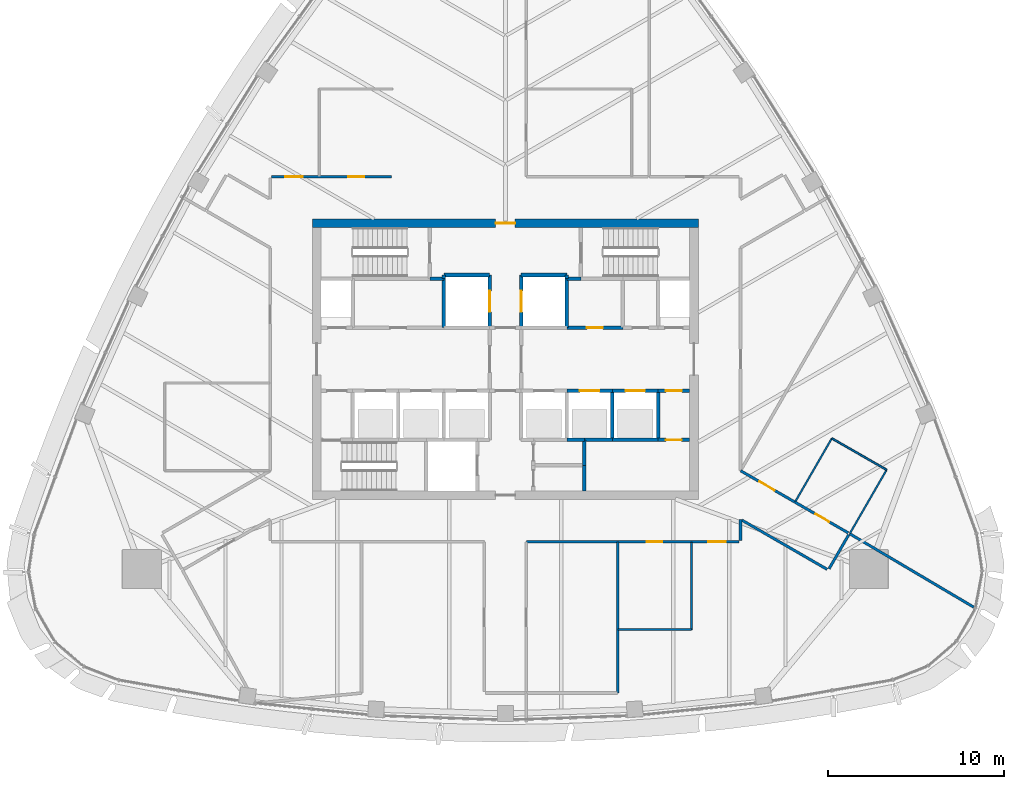
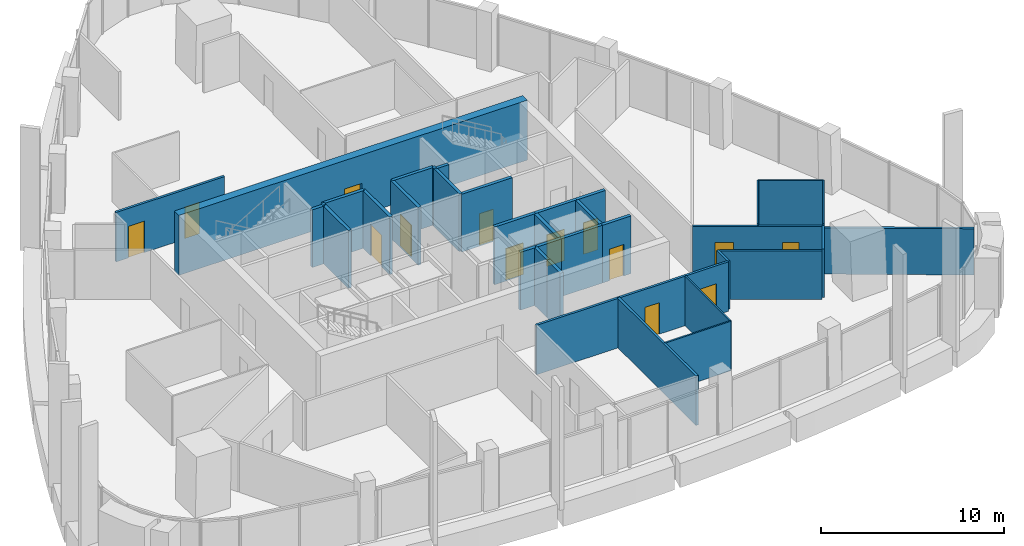
# One storey, part 10 of 18: 36 walls, 14 doors, 14 openings.
"""IFC4 building model written with IfcOpenShell, lengths in metres."""

from ifc_helpers import new_model, si_unit, direction, frame, frame_2d, origin, place, context, subcontext, project, spatial, rectangle, extrude, material, layer, layer_set, type_object, element, fill, save


model = new_model("IFC4")

# Units and contexts
model_context = context("Model", 3, precision=1e-05, world=origin(), true_north=direction((0.0, 1.0)))
body_context = subcontext(model_context, "Body", "Model", "MODEL_VIEW")
ifc_project = project(units=[si_unit("LENGTHUNIT", "METRE"), si_unit("AREAUNIT", "SQUARE_METRE"), si_unit("VOLUMEUNIT", "CUBIC_METRE"), si_unit("PLANEANGLEUNIT", "RADIAN"), si_unit("MASSUNIT", "GRAM", prefix="KILO")], contexts=[model_context])

# Site, building, storey
site_placement = place(None, origin())
site = spatial("IfcSite", under=ifc_project, at=site_placement, CompositionType="ELEMENT")
building_placement = place(site_placement, origin())
building = spatial("IfcBuilding", under=site, at=building_placement, Name="Sierra Prisma Convention Tower", CompositionType="ELEMENT")
storey_placement = place(building_placement, frame((0.0, 0.0, 287.0)))
storey = spatial("IfcBuildingStorey", under=building, at=storey_placement, Name="L65", CompositionType="ELEMENT", Elevation=287.0)

# Walls
ifc_material_1 = material(Name="Gypsum board partition", Category="gypsum")
ifc_layer_1 = layer(ifc_material_1, 0.10009765625)
ifc_layer_set_1 = layer_set([ifc_layer_1], Name="Bathroom partition 100")
wall_type_1 = type_object("IfcWallType", Name="Bathroom partition 100", PredefinedType="PARTITIONING", material=ifc_layer_set_1)
wall_1_placement = place(storey_placement, frame((10.60009765625, -10.429931640625, 0.0), z_axis=(0.0, 0.0, 1.0), x_axis=(0.0, -1.0, 0.0)))
element("IfcWall", 1, at=wall_1_placement, inside=storey, type_object=wall_type_1, Name="Partition L65 bath 8", PredefinedType="PARTITIONING", context=body_context, shape_type="SweptSolid", body=[
    extrude(rectangle(XDim=4.969970703125, YDim=0.10009765625, at=frame_2d((2.48486328125, 0.0))), origin(), (0.0, 0.0, 1.0), 3.300048828125),
])
wall_2_placement = place(storey_placement, frame((10.60009765625, -15.39990234375, 0.0), z_axis=(0.0, 0.0, 1.0), x_axis=(-1.0, 0.0, 0.0)))
element("IfcWall", 2, at=wall_2_placement, inside=storey, type_object=wall_type_1, Name="Partition L65 bath 9", PredefinedType="PARTITIONING", context=body_context, shape_type="SweptSolid", body=[
    extrude(rectangle(XDim=4.170166015625, YDim=0.10009765625, at=frame_2d((2.0849609375, 0.0))), origin(), (0.0, 0.0, 1.0), 3.300048828125),
])
wall_3_placement = place(storey_placement, frame((16.515869140625, -8.114990234375, 0.0), z_axis=(0.0, 0.0, 1.0), x_axis=(0.500018099276, 0.86601495391, 0.0)))
element("IfcWall", 3, at=wall_3_placement, inside=storey, type_object=wall_type_1, Name="Partition L65 bath 10", PredefinedType="PARTITIONING", context=body_context, shape_type="SweptSolid", body=[
    extrude(rectangle(XDim=4.169677734375, YDim=0.10009765625, at=frame_2d((2.0849609375, 0.0))), origin(), (0.0, 0.0, 1.0), 3.300048828125),
])
wall_4_placement = place(storey_placement, frame((18.600830078125, -4.50390625, 0.0), z_axis=(0.0, 0.0, 1.0), x_axis=(0.866047807691, -0.499961193289, 0.0)))
element("IfcWall", 4, at=wall_4_placement, inside=storey, type_object=wall_type_1, Name="Partition L65 bath 11", PredefinedType="PARTITIONING", context=body_context, shape_type="SweptSolid", body=[
    extrude(rectangle(XDim=3.599853515625, YDim=0.10009765625, at=frame_2d((1.7998046875, 0.0))), origin(), (0.0, 0.0, 1.0), 3.29296875),
])
wall_5_placement = place(storey_placement, frame((21.718505859375, -6.3037109375, 0.0), z_axis=(0.0, 0.0, 1.0), x_axis=(-0.499992746786, -0.866029591389, 0.0)))
element("IfcWall", 5, at=wall_5_placement, inside=storey, type_object=wall_type_1, Name="Partition L65 bath 12", PredefinedType="PARTITIONING", context=body_context, shape_type="SweptSolid", body=[
    extrude(rectangle(XDim=4.169921875, YDim=0.10009765625, at=frame_2d((2.0849609375, 0.0))), origin(), (0.0, 0.0, 1.0), 3.300048828125),
])
ifc_material_2 = material(Name="Concrete C30/37", Category="concrete")
ifc_layer_2 = layer(ifc_material_2, 0.199951171875)
ifc_layer_set_2 = layer_set([ifc_layer_2], Name="Core wall RC 200 C30/37")
wall_type_2 = type_object("IfcWallType", Name="Core wall RC 200 C30/37", PredefinedType="SOLIDWALL", material=ifc_layer_set_2)
wall_6_placement = place(storey_placement, frame((-3.5, 4.60009765625, 0.0), z_axis=(0.0, 0.0, 1.0), x_axis=(-1.0, 0.0, 0.0)))
element("IfcWall", 6, at=wall_6_placement, inside=storey, type_object=wall_type_2, Name="Core wall L65 16", PredefinedType="SOLIDWALL", context=body_context, shape_type="SweptSolid", body=[
    extrude(rectangle(XDim=0.800048828125, YDim=0.199951171875, at=frame_2d((0.39990234375, 0.0))), origin(), (0.0, 0.0, 1.0), 3.85009765625),
])
wall_7_placement = place(storey_placement, frame((-3.5, 1.800048828125, 0.0), z_axis=(0.0, 0.0, 1.0), x_axis=(0.0, 1.0, 0.0)))
element("IfcWall", 7, at=wall_7_placement, inside=storey, type_object=wall_type_2, Name="Core wall L65 22", PredefinedType="SOLIDWALL", context=body_context, shape_type="SweptSolid", body=[
    extrude(rectangle(XDim=2.800048828125, YDim=0.199951171875, at=frame_2d((1.39990234375, 0.0))), origin(), (0.0, 0.0, 1.0), 3.85009765625),
])

# Wall, opening, door
wall_8_placement = place(storey_placement, frame((-0.89990234375, 1.800048828125, 0.0), z_axis=(0.0, 0.0, 1.0), x_axis=(0.0, 1.0, 0.0)))
wall_8 = element("IfcWall", 8, at=wall_8_placement, inside=storey, type_object=wall_type_2, Name="Core wall L65 23", PredefinedType="SOLIDWALL", context=body_context, shape_type="SweptSolid", body=[
    extrude(rectangle(XDim=3.0, YDim=0.199951171875, at=frame_2d((1.5, 0.0))), origin(), (0.0, 0.0, 1.0), 3.85009765625),
])
opening_1_placement = place(wall_8_placement, frame((0.89990234375, 0.0, 0.0)))
opening_1 = element("IfcOpeningElement", 9, at=opening_1_placement, cuts=wall_8, Name="Opening L65-D007", PredefinedType="OPENING", context=body_context, shape_type="SweptSolid", body=[
    extrude(rectangle(XDim=1.199951171875, YDim=2.10009765625, at=frame_2d((0.60009765625, 1.050048828125))), frame((0.0, 0.10009765625, 0.0), z_axis=(0.0, -1.0, 0.0), x_axis=(1.0, 0.0, 0.0)), (0.0, 0.0, 1.0), 0.199951171875),
])
ifc_material_3 = material(Name="Steel fire door leaf", Category="steel")
door_type_1 = type_object("IfcDoorType", Name="Door 1200x2100 EI 90 sliding lift landing", OperationType="SLIDING_TO_LEFT", PredefinedType="DOOR", material=ifc_material_3)
door_1_placement = place(opening_1_placement, origin())
door_1 = element("IfcDoor", 10, at=door_1_placement, inside=storey, type_object=door_type_1, Name="Door L65 22", OperationType="SLIDING_TO_RIGHT", OverallHeight=2.10009765625, OverallWidth=1.199951171875, PredefinedType="DOOR", context=body_context, shape_type="SweptSolid", body=[
    extrude(rectangle(XDim=1.199951171875, YDim=2.10009765625, at=frame_2d((0.60009765625, 1.050048828125))), frame((0.0, 0.02490234375, 0.0), z_axis=(0.0, -1.0, 0.0), x_axis=(1.0, 0.0, 0.0)), (0.0, 0.0, 1.0), 0.050048828125),
])
fill(opening_1, door_1)

# Walls
wall_9_placement = place(storey_placement, frame((-0.89990234375, 4.800048828125, 0.0), z_axis=(0.0, 0.0, 1.0), x_axis=(-1.0, 0.0, 0.0)))
element("IfcWall", 11, at=wall_9_placement, inside=storey, type_object=wall_type_2, Name="Core wall L65 24", PredefinedType="SOLIDWALL", context=body_context, shape_type="SweptSolid", body=[
    extrude(rectangle(XDim=2.60009765625, YDim=0.199951171875, at=frame_2d((1.300048828125, 0.0))), origin(), (0.0, 0.0, 1.0), 3.85009765625),
])
for number, where, z_axis, x_axis, name in (
    (12, (-3.5, 4.800048828125, 0.0), (0.0, 0.0, 1.0), (0.0, -1.0, 0.0), "Core wall L65 25"),
    (13, (3.5, 4.60009765625, 0.0), (0.0, 0.0, 1.0), (0.0, 1.0, 0.0), "Core wall L65 37"),
):
    element("IfcWall", number, at=place(storey_placement, frame(where, z_axis=z_axis, x_axis=x_axis)), inside=storey, type_object=wall_type_2, Name=name, PredefinedType="SOLIDWALL", context=body_context, shape_type="SweptSolid", body=[
        extrude(rectangle(XDim=0.199951171875, YDim=0.199951171875, at=frame_2d((0.10009765625, 0.0))), origin(), (0.0, 0.0, 1.0), 3.85009765625),
    ])
wall_10_placement = place(storey_placement, frame((3.5, 4.800048828125, 0.0), z_axis=(0.0, 0.0, 1.0), x_axis=(-1.0, 0.0, 0.0)))
element("IfcWall", 14, at=wall_10_placement, inside=storey, type_object=wall_type_2, Name="Core wall L65 38", PredefinedType="SOLIDWALL", context=body_context, shape_type="SweptSolid", body=[
    extrude(rectangle(XDim=2.60009765625, YDim=0.199951171875, at=frame_2d((1.300048828125, 0.0))), origin(), (0.0, 0.0, 1.0), 3.85009765625),
])

# Wall, opening, door
wall_11_placement = place(storey_placement, frame((0.89990234375, 4.800048828125, 0.0), z_axis=(0.0, 0.0, 1.0), x_axis=(0.0, -1.0, 0.0)))
wall_11 = element("IfcWall", 15, at=wall_11_placement, inside=storey, type_object=wall_type_2, Name="Core wall L65 39", PredefinedType="SOLIDWALL", context=body_context, shape_type="SweptSolid", body=[
    extrude(rectangle(XDim=3.0, YDim=0.199951171875, at=frame_2d((1.5, 0.0))), origin(), (0.0, 0.0, 1.0), 3.85009765625),
])
opening_2_placement = place(wall_11_placement, frame((0.89990234375, 0.0, 0.0)))
opening_2 = element("IfcOpeningElement", 16, at=opening_2_placement, cuts=wall_11, Name="Opening L65-D008", PredefinedType="OPENING", context=body_context, shape_type="SweptSolid", body=[
    extrude(rectangle(XDim=1.199951171875, YDim=2.10009765625, at=frame_2d((0.60009765625, 1.050048828125))), frame((0.0, 0.10009765625, 0.0), z_axis=(0.0, -1.0, 0.0), x_axis=(1.0, 0.0, 0.0)), (0.0, 0.0, 1.0), 0.199951171875),
])
door_2_placement = place(opening_2_placement, origin())
door_2 = element("IfcDoor", 17, at=door_2_placement, inside=storey, type_object=door_type_1, Name="Door L65 23", OperationType="SLIDING_TO_LEFT", OverallHeight=2.10009765625, OverallWidth=1.199951171875, PredefinedType="DOOR", context=body_context, shape_type="SweptSolid", body=[
    extrude(rectangle(XDim=1.199951171875, YDim=2.10009765625, at=frame_2d((0.60009765625, 1.050048828125))), frame((0.0, 0.02490234375, 0.0), z_axis=(0.0, -1.0, 0.0), x_axis=(1.0, 0.0, 0.0)), (0.0, 0.0, 1.0), 0.050048828125),
])
fill(opening_2, door_2)

# Wall
wall_12_placement = place(storey_placement, frame((4.5, -4.60009765625, 0.0), z_axis=(0.0, 0.0, 1.0), x_axis=(-1.0, 0.0, 0.0)))
element("IfcWall", 18, at=wall_12_placement, inside=storey, type_object=wall_type_2, Name="Core wall L65 44", PredefinedType="SOLIDWALL", context=body_context, shape_type="SweptSolid", body=[
    extrude(rectangle(XDim=1.0, YDim=0.199951171875, at=frame_2d((0.5, 0.0))), origin(), (0.0, 0.0, 1.0), 3.85009765625),
])

# Wall, opening, door
wall_13_placement = place(storey_placement, frame((3.5, -1.800048828125, 0.0), z_axis=(0.0, 0.0, 1.0), x_axis=(1.0, 0.0, 0.0)))
wall_13 = element("IfcWall", 19, at=wall_13_placement, inside=storey, type_object=wall_type_2, Name="Core wall L65 46", PredefinedType="SOLIDWALL", context=body_context, shape_type="SweptSolid", body=[
    extrude(rectangle(XDim=2.60009765625, YDim=0.199951171875, at=frame_2d((1.300048828125, 0.0))), origin(), (0.0, 0.0, 1.0), 3.85009765625),
])
opening_3_placement = place(wall_13_placement, frame((0.75, 0.0, 0.0)))
opening_3 = element("IfcOpeningElement", 20, at=opening_3_placement, cuts=wall_13, Name="Opening L65-D005", PredefinedType="OPENING", context=body_context, shape_type="SweptSolid", body=[
    extrude(rectangle(XDim=1.10009765625, YDim=2.10009765625, at=frame_2d((0.550048828125, 1.050048828125))), frame((0.0, 0.10009765625, 0.0), z_axis=(0.0, -1.0, 0.0), x_axis=(1.0, 0.0, 0.0)), (0.0, 0.0, 1.0), 0.199951171875),
])
ifc_material_4 = material(Name="Steel fire door leaf", Category="steel")
door_type_2 = type_object("IfcDoorType", Name="Door 1100x2100 EI 90 sliding lift landing", OperationType="SLIDING_TO_LEFT", PredefinedType="DOOR", material=ifc_material_4)
door_3_placement = place(opening_3_placement, origin())
door_3 = element("IfcDoor", 21, at=door_3_placement, inside=storey, type_object=door_type_2, Name="Door L65 20", OperationType="SLIDING_TO_RIGHT", OverallHeight=2.10009765625, OverallWidth=1.10009765625, PredefinedType="DOOR", context=body_context, shape_type="SweptSolid", body=[
    extrude(rectangle(XDim=1.10009765625, YDim=2.10009765625, at=frame_2d((0.550048828125, 1.050048828125))), frame((0.0, 0.02490234375, 0.0), z_axis=(0.0, -1.0, 0.0), x_axis=(1.0, 0.0, 0.0)), (0.0, 0.0, 1.0), 0.050048828125),
])
fill(opening_3, door_3)

wall_14_placement = place(storey_placement, frame((3.5, 1.800048828125, 0.0), z_axis=(0.0, 0.0, 1.0), x_axis=(1.0, 0.0, 0.0)))
wall_14 = element("IfcWall", 22, at=wall_14_placement, inside=storey, type_object=wall_type_2, Name="Core wall L65 47", PredefinedType="SOLIDWALL", context=body_context, shape_type="SweptSolid", body=[
    extrude(rectangle(XDim=3.199951171875, YDim=0.199951171875, at=frame_2d((1.60009765625, 0.0))), origin(), (0.0, 0.0, 1.0), 3.85009765625),
])
opening_4_placement = place(wall_14_placement, frame((1.14990234375, 0.0, 0.0)))
opening_4 = element("IfcOpeningElement", 23, at=opening_4_placement, cuts=wall_14, Name="Opening L65-D020", PredefinedType="OPENING", context=body_context, shape_type="SweptSolid", body=[
    extrude(rectangle(XDim=0.89990234375, YDim=2.10009765625, at=frame_2d((0.449951171875, 1.050048828125))), frame((0.0, 0.10009765625, 0.0), z_axis=(0.0, -1.0, 0.0), x_axis=(1.0, 0.0, 0.0)), (0.0, 0.0, 1.0), 0.199951171875),
])
ifc_material_5 = material(Name="Steel fire door leaf", Category="steel")
door_type_3 = type_object("IfcDoorType", Name="Door 900x2100 FD30S", OperationType="SINGLE_SWING_LEFT", PredefinedType="DOOR", material=ifc_material_5)
door_4_placement = place(opening_4_placement, origin())
door_4 = element("IfcDoor", 24, at=door_4_placement, inside=storey, type_object=door_type_3, Name="Door L65 35", OperationType="SINGLE_SWING_LEFT", OverallHeight=2.10009765625, OverallWidth=0.89990234375, PredefinedType="DOOR", context=body_context, shape_type="SweptSolid", body=[
    extrude(rectangle(XDim=0.89990234375, YDim=2.10009765625, at=frame_2d((0.449951171875, 1.050048828125))), frame((0.0, 0.02490234375, 0.0), z_axis=(0.0, -1.0, 0.0), x_axis=(1.0, 0.0, 0.0)), (0.0, 0.0, 1.0), 0.050048828125),
])
fill(opening_4, door_4)

# Walls
wall_15_placement = place(storey_placement, frame((3.5, 4.60009765625, 0.0), z_axis=(0.0, 0.0, 1.0), x_axis=(0.0, -1.0, 0.0)))
element("IfcWall", 25, at=wall_15_placement, inside=storey, type_object=wall_type_2, Name="Core wall L65 48", PredefinedType="SOLIDWALL", context=body_context, shape_type="SweptSolid", body=[
    extrude(rectangle(XDim=2.800048828125, YDim=0.199951171875, at=frame_2d((1.39990234375, 0.0))), origin(), (0.0, 0.0, 1.0), 3.85009765625),
])
wall_16_placement = place(storey_placement, frame((4.300048828125, 4.60009765625, 0.0), z_axis=(0.0, 0.0, 1.0), x_axis=(-1.0, 0.0, 0.0)))
element("IfcWall", 26, at=wall_16_placement, inside=storey, type_object=wall_type_2, Name="Core wall L65 49", PredefinedType="SOLIDWALL", context=body_context, shape_type="SweptSolid", body=[
    extrude(rectangle(XDim=0.800048828125, YDim=0.199951171875, at=frame_2d((0.39990234375, 0.0))), origin(), (0.0, 0.0, 1.0), 3.85009765625),
])
for number, where, z_axis, x_axis, name in (
    (27, (4.5, -6.050048828125, 0.0), (0.0, 0.0, 1.0), (0.0, -1.0, 0.0), "Core wall L65 52"),
    (28, (4.5, -4.60009765625, 0.0), (0.0, 0.0, 1.0), (0.0, -1.0, 0.0), "Core wall L65 53"),
):
    element("IfcWall", number, at=place(storey_placement, frame(where, z_axis=z_axis, x_axis=x_axis)), inside=storey, type_object=wall_type_2, Name=name, PredefinedType="SOLIDWALL", context=body_context, shape_type="SweptSolid", body=[
        extrude(rectangle(XDim=1.449951171875, YDim=0.199951171875, at=frame_2d((0.72509765625, 0.0))), origin(), (0.0, 0.0, 1.0), 3.85009765625),
    ])
wall_17_placement = place(storey_placement, frame((6.10009765625, -4.60009765625, 0.0), z_axis=(0.0, 0.0, 1.0), x_axis=(-1.0, 0.0, 0.0)))
element("IfcWall", 29, at=wall_17_placement, inside=storey, type_object=wall_type_2, Name="Core wall L65 54", PredefinedType="SOLIDWALL", context=body_context, shape_type="SweptSolid", body=[
    extrude(rectangle(XDim=1.60009765625, YDim=0.199951171875, at=frame_2d((0.800048828125, 0.0))), origin(), (0.0, 0.0, 1.0), 3.85009765625),
])
wall_18_placement = place(storey_placement, frame((8.699951171875, -4.60009765625, 0.0), z_axis=(0.0, 0.0, 1.0), x_axis=(-1.0, 0.0, 0.0)))
element("IfcWall", 30, at=wall_18_placement, inside=storey, type_object=wall_type_2, Name="Core wall L65 55", PredefinedType="SOLIDWALL", context=body_context, shape_type="SweptSolid", body=[
    extrude(rectangle(XDim=2.599853515625, YDim=0.199951171875, at=frame_2d((1.2998046875, 0.0))), origin(), (0.0, 0.0, 1.0), 3.85009765625),
])
wall_19_placement = place(storey_placement, frame((6.10009765625, -4.60009765625, 0.0), z_axis=(0.0, 0.0, 1.0), x_axis=(0.0, 1.0, 0.0)))
element("IfcWall", 31, at=wall_19_placement, inside=storey, type_object=wall_type_2, Name="Core wall L65 56", PredefinedType="SOLIDWALL", context=body_context, shape_type="SweptSolid", body=[
    extrude(rectangle(XDim=2.800048828125, YDim=0.199951171875, at=frame_2d((1.39990234375, 0.0))), origin(), (0.0, 0.0, 1.0), 3.85009765625),
])

# Wall, opening, door
wall_20_placement = place(storey_placement, frame((6.10009765625, -1.800048828125, 0.0), z_axis=(0.0, 0.0, 1.0), x_axis=(1.0, 0.0, 0.0)))
wall_20 = element("IfcWall", 32, at=wall_20_placement, inside=storey, type_object=wall_type_2, Name="Core wall L65 57", PredefinedType="SOLIDWALL", context=body_context, shape_type="SweptSolid", body=[
    extrude(rectangle(XDim=2.599853515625, YDim=0.199951171875, at=frame_2d((1.2998046875, 0.0))), origin(), (0.0, 0.0, 1.0), 3.85009765625),
])
opening_5_placement = place(wall_20_placement, frame((0.75, 0.0, 0.0)))
opening_5 = element("IfcOpeningElement", 33, at=opening_5_placement, cuts=wall_20, Name="Opening L65-D006", PredefinedType="OPENING", context=body_context, shape_type="SweptSolid", body=[
    extrude(rectangle(XDim=1.10009765625, YDim=2.10009765625, at=frame_2d((0.550048828125, 1.050048828125))), frame((0.0, 0.10009765625, 0.0), z_axis=(0.0, -1.0, 0.0), x_axis=(1.0, 0.0, 0.0)), (0.0, 0.0, 1.0), 0.199951171875),
])
door_5_placement = place(opening_5_placement, origin())
door_5 = element("IfcDoor", 34, at=door_5_placement, inside=storey, type_object=door_type_2, Name="Door L65 21", OperationType="SLIDING_TO_LEFT", OverallHeight=2.10009765625, OverallWidth=1.10009765625, PredefinedType="DOOR", context=body_context, shape_type="SweptSolid", body=[
    extrude(rectangle(XDim=1.10009765625, YDim=2.10009765625, at=frame_2d((0.550048828125, 1.050048828125))), frame((0.0, 0.02490234375, 0.0), z_axis=(0.0, -1.0, 0.0), x_axis=(1.0, 0.0, 0.0)), (0.0, 0.0, 1.0), 0.050048828125),
])
fill(opening_5, door_5)

wall_21_placement = place(storey_placement, frame((10.5, -4.60009765625, 0.0), z_axis=(0.0, 0.0, 1.0), x_axis=(-1.0, 0.0, 0.0)))
wall_21 = element("IfcWall", 35, at=wall_21_placement, inside=storey, type_object=wall_type_2, Name="Core wall L65 61", PredefinedType="SOLIDWALL", context=body_context, shape_type="SweptSolid", body=[
    extrude(rectangle(XDim=1.800048828125, YDim=0.199951171875, at=frame_2d((0.89990234375, 0.0))), origin(), (0.0, 0.0, 1.0), 3.85009765625),
])
opening_6_placement = place(wall_21_placement, frame((0.4599609375, 0.0, 0.0)))
opening_6 = element("IfcOpeningElement", 36, at=opening_6_placement, cuts=wall_21, Name="Opening L65-D023", PredefinedType="OPENING", context=body_context, shape_type="SweptSolid", body=[
    extrude(rectangle(XDim=0.89990234375, YDim=2.10009765625, at=frame_2d((0.449951171875, 1.050048828125))), frame((0.0, 0.10009765625, 0.0), z_axis=(0.0, -1.0, 0.0), x_axis=(1.0, 0.0, 0.0)), (0.0, 0.0, 1.0), 0.199951171875),
])
door_6_placement = place(opening_6_placement, origin())
door_6 = element("IfcDoor", 37, at=door_6_placement, inside=storey, type_object=door_type_3, Name="Door L65 38", OperationType="SINGLE_SWING_RIGHT", OverallHeight=2.10009765625, OverallWidth=0.89990234375, PredefinedType="DOOR", context=body_context, shape_type="SweptSolid", body=[
    extrude(rectangle(XDim=0.89990234375, YDim=2.10009765625, at=frame_2d((0.449951171875, 1.050048828125))), frame((0.0, 0.02490234375, 0.0), z_axis=(0.0, -1.0, 0.0), x_axis=(1.0, 0.0, 0.0)), (0.0, 0.0, 1.0), 0.050048828125),
])
fill(opening_6, door_6)

# Wall
wall_22_placement = place(storey_placement, frame((8.699951171875, -1.800048828125, 0.0), z_axis=(0.0, 0.0, 1.0), x_axis=(0.0, -1.0, 0.0)))
element("IfcWall", 38, at=wall_22_placement, inside=storey, type_object=wall_type_2, Name="Core wall L65 62", PredefinedType="SOLIDWALL", context=body_context, shape_type="SweptSolid", body=[
    extrude(rectangle(XDim=2.800048828125, YDim=0.199951171875, at=frame_2d((1.39990234375, 0.0))), origin(), (0.0, 0.0, 1.0), 3.85009765625),
])

# Wall, opening, door
wall_23_placement = place(storey_placement, frame((8.699951171875, -1.800048828125, 0.0), z_axis=(0.0, 0.0, 1.0), x_axis=(1.0, 0.0, 0.0)))
wall_23 = element("IfcWall", 39, at=wall_23_placement, inside=storey, type_object=wall_type_2, Name="Core wall L65 63", PredefinedType="SOLIDWALL", context=body_context, shape_type="SweptSolid", body=[
    extrude(rectangle(XDim=1.800048828125, YDim=0.199951171875, at=frame_2d((0.89990234375, 0.0))), origin(), (0.0, 0.0, 1.0), 3.85009765625),
])
opening_7_placement = place(wall_23_placement, frame((0.449951171875, 0.0, 0.0)))
opening_7 = element("IfcOpeningElement", 40, at=opening_7_placement, cuts=wall_23, Name="Opening L65-D024", PredefinedType="OPENING", context=body_context, shape_type="SweptSolid", body=[
    extrude(rectangle(XDim=0.89990234375, YDim=2.10009765625, at=frame_2d((0.449951171875, 1.050048828125))), frame((0.0, 0.10009765625, 0.0), z_axis=(0.0, -1.0, 0.0), x_axis=(1.0, 0.0, 0.0)), (0.0, 0.0, 1.0), 0.199951171875),
])
door_7_placement = place(opening_7_placement, origin())
door_7 = element("IfcDoor", 41, at=door_7_placement, inside=storey, type_object=door_type_3, Name="Door L65 39", OperationType="SINGLE_SWING_LEFT", OverallHeight=2.10009765625, OverallWidth=0.89990234375, PredefinedType="DOOR", context=body_context, shape_type="SweptSolid", body=[
    extrude(rectangle(XDim=0.89990234375, YDim=2.10009765625, at=frame_2d((0.449951171875, 1.050048828125))), frame((0.0, 0.02490234375, 0.0), z_axis=(0.0, -1.0, 0.0), x_axis=(1.0, 0.0, 0.0)), (0.0, 0.0, 1.0), 0.050048828125),
])
fill(opening_7, door_7)

ifc_material_6 = material(Name="Concrete C50/60", Category="concrete")
ifc_layer_3 = layer(ifc_material_6, 0.5)
ifc_layer_set_3 = layer_set([ifc_layer_3], Name="Core wall RC 500 C50/60")
wall_type_3 = type_object("IfcWallType", Name="Core wall RC 500 C50/60", PredefinedType="SHEAR", material=ifc_layer_set_3)
wall_24_placement = place(storey_placement, frame((-11.0, 7.75, 0.0), z_axis=(0.0, 0.0, 1.0), x_axis=(1.0, 0.0, 0.0)))
wall_24 = element("IfcWall", 42, at=wall_24_placement, inside=storey, type_object=wall_type_3, Name="Core wall N L65", PredefinedType="SHEAR", context=body_context, shape_type="SweptSolid", body=[
    extrude(rectangle(XDim=22.0, YDim=0.5, at=frame_2d((11.0, 0.0))), origin(), (0.0, 0.0, 1.0), 4.0),
])
opening_8_placement = place(wall_24_placement, frame((10.449951171875, 0.0, 0.0)))
opening_8 = element("IfcOpeningElement", 43, at=opening_8_placement, cuts=wall_24, Name="Opening L65-D043", PredefinedType="OPENING", context=body_context, shape_type="SweptSolid", body=[
    extrude(rectangle(XDim=1.10009765625, YDim=2.10009765625, at=frame_2d((0.550048828125, 1.050048828125))), frame((0.0, 0.25, 0.0), z_axis=(0.0, -1.0, 0.0), x_axis=(1.0, 0.0, 0.0)), (0.0, 0.0, 1.0), 0.5),
])
ifc_material_7 = material(Name="Steel fire door leaf", Category="steel")
door_type_4 = type_object("IfcDoorType", Name="Door 1100x2100 FD60S", OperationType="SINGLE_SWING_LEFT", PredefinedType="DOOR", material=ifc_material_7)
door_8_placement = place(opening_8_placement, origin())
door_8 = element("IfcDoor", 44, at=door_8_placement, inside=storey, type_object=door_type_4, Name="Door L65 44", OperationType="SINGLE_SWING_RIGHT", OverallHeight=2.10009765625, OverallWidth=1.10009765625, PredefinedType="DOOR", context=body_context, shape_type="SweptSolid", body=[
    extrude(rectangle(XDim=1.10009765625, YDim=2.10009765625, at=frame_2d((0.550048828125, 1.050048828125))), frame((0.0, 0.02490234375, 0.0), z_axis=(0.0, -1.0, 0.0), x_axis=(1.0, 0.0, 0.0)), (0.0, 0.0, 1.0), 0.050048828125),
])
fill(opening_8, door_8)

# Wall, openings, doors
ifc_material_8 = material(Name="Gypsum board partition", Category="gypsum")
ifc_layer_4 = layer(ifc_material_8, 0.14990234375)
ifc_layer_set_4 = layer_set([ifc_layer_4], Name="Corridor wall 150 gypsum EI 60")
wall_type_4 = type_object("IfcWallType", Name="Corridor wall 150 gypsum EI 60", PredefinedType="PARTITIONING", material=ifc_layer_set_4)
wall_25_placement = place(storey_placement, frame((-6.47998046875, 10.39990234375, 0.0), z_axis=(0.0, 0.0, 1.0), x_axis=(-1.0, 0.0, 0.0)))
wall_25 = element("IfcWall", 45, at=wall_25_placement, inside=storey, type_object=wall_type_4, Name="Partition L65 corr 12", PredefinedType="PARTITIONING", context=body_context, shape_type="SweptSolid", body=[
    extrude(rectangle(XDim=6.840087890625, YDim=0.14990234375, at=frame_2d((3.419921875, 0.0))), origin(), (0.0, 0.0, 1.0), 3.300048828125),
])
opening_9_placement = place(wall_25_placement, frame((1.570068359375, 0.0, 0.0)))
opening_9 = element("IfcOpeningElement", 46, at=opening_9_placement, cuts=wall_25, Name="Opening L65-D031", PredefinedType="OPENING", context=body_context, shape_type="SweptSolid", body=[
    extrude(rectangle(XDim=0.89990234375, YDim=2.10009765625, at=frame_2d((0.449951171875, 1.050048828125))), frame((0.0, 0.074951171875, 0.0), z_axis=(0.0, -1.0, 0.0), x_axis=(1.0, 0.0, 0.0)), (0.0, 0.0, 1.0), 0.14990234375),
])
opening_10_placement = place(wall_25_placement, frame((5.070068359375, 0.0, 0.0)))
opening_10 = element("IfcOpeningElement", 47, at=opening_10_placement, cuts=wall_25, Name="Opening L65-D032", PredefinedType="OPENING", context=body_context, shape_type="SweptSolid", body=[
    extrude(rectangle(XDim=1.0, YDim=2.10009765625, at=frame_2d((0.5, 1.050048828125))), frame((0.0, 0.074951171875, 0.0), z_axis=(0.0, -1.0, 0.0), x_axis=(1.0, 0.0, 0.0)), (0.0, 0.0, 1.0), 0.14990234375),
])
ifc_material_9 = material(Name="Steel fire door leaf", Category="steel")
door_type_5 = type_object("IfcDoorType", Name="Door 1000x2100 FD30S", OperationType="SINGLE_SWING_LEFT", PredefinedType="DOOR", material=ifc_material_9)
door_9_placement = place(opening_10_placement, origin())
door_9 = element("IfcDoor", 48, at=door_9_placement, inside=storey, type_object=door_type_5, Name="Door L65 6", OperationType="SINGLE_SWING_RIGHT", OverallHeight=2.10009765625, OverallWidth=1.0, PredefinedType="DOOR", context=body_context, shape_type="SweptSolid", body=[
    extrude(rectangle(XDim=1.0, YDim=2.10009765625, at=frame_2d((0.5, 1.050048828125))), frame((0.0, 0.02490234375, 0.0), z_axis=(0.0, -1.0, 0.0), x_axis=(1.0, 0.0, 0.0)), (0.0, 0.0, 1.0), 0.050048828125),
])
fill(opening_10, door_9)
door_10_placement = place(opening_9_placement, origin())
door_10 = element("IfcDoor", 49, at=door_10_placement, inside=storey, type_object=door_type_3, Name="Door L65 5", OperationType="SINGLE_SWING_RIGHT", OverallHeight=2.10009765625, OverallWidth=0.89990234375, PredefinedType="DOOR", context=body_context, shape_type="SweptSolid", body=[
    extrude(rectangle(XDim=0.89990234375, YDim=2.10009765625, at=frame_2d((0.449951171875, 1.050048828125))), frame((0.0, 0.02490234375, 0.0), z_axis=(0.0, -1.0, 0.0), x_axis=(1.0, 0.0, 0.0)), (0.0, 0.0, 1.0), 0.050048828125),
])
fill(opening_9, door_10)

wall_26_placement = place(storey_placement, frame((1.199951171875, -10.39990234375, 0.0), z_axis=(0.0, 0.0, 1.0), x_axis=(1.0, 0.0, 0.0)))
wall_26 = element("IfcWall", 50, at=wall_26_placement, inside=storey, type_object=wall_type_4, Name="Partition L65 corr 16", PredefinedType="PARTITIONING", context=body_context, shape_type="SweptSolid", body=[
    extrude(rectangle(XDim=12.1201171875, YDim=0.14990234375, at=frame_2d((6.06005859375, 0.0))), origin(), (0.0, 0.0, 1.0), 3.300048828125),
])
opening_11_placement = place(wall_26_placement, frame((6.85009765625, 0.0, 0.0)))
opening_11 = element("IfcOpeningElement", 51, at=opening_11_placement, cuts=wall_26, Name="Opening L65-D038", PredefinedType="OPENING", context=body_context, shape_type="SweptSolid", body=[
    extrude(rectangle(XDim=0.89990234375, YDim=2.10009765625, at=frame_2d((0.449951171875, 1.050048828125))), frame((0.0, 0.074951171875, 0.0), z_axis=(0.0, -1.0, 0.0), x_axis=(1.0, 0.0, 0.0)), (0.0, 0.0, 1.0), 0.14990234375),
])
opening_12_placement = place(wall_26_placement, frame((10.35009765625, 0.0, 0.0)))
opening_12 = element("IfcOpeningElement", 52, at=opening_12_placement, cuts=wall_26, Name="Opening L65-D039", PredefinedType="OPENING", context=body_context, shape_type="SweptSolid", body=[
    extrude(rectangle(XDim=1.0, YDim=2.10009765625, at=frame_2d((0.5, 1.050048828125))), frame((0.0, 0.074951171875, 0.0), z_axis=(0.0, -1.0, 0.0), x_axis=(1.0, 0.0, 0.0)), (0.0, 0.0, 1.0), 0.14990234375),
])
door_11_placement = place(opening_12_placement, origin())
door_11 = element("IfcDoor", 53, at=door_11_placement, inside=storey, type_object=door_type_5, Name="Door L65 13", OperationType="SINGLE_SWING_LEFT", OverallHeight=2.10009765625, OverallWidth=1.0, PredefinedType="DOOR", context=body_context, shape_type="SweptSolid", body=[
    extrude(rectangle(XDim=1.0, YDim=2.10009765625, at=frame_2d((0.5, 1.050048828125))), frame((0.0, 0.02490234375, 0.0), z_axis=(0.0, -1.0, 0.0), x_axis=(1.0, 0.0, 0.0)), (0.0, 0.0, 1.0), 0.050048828125),
])
fill(opening_12, door_11)
door_12_placement = place(opening_11_placement, origin())
door_12 = element("IfcDoor", 54, at=door_12_placement, inside=storey, type_object=door_type_3, Name="Door L65 12", OperationType="SINGLE_SWING_LEFT", OverallHeight=2.10009765625, OverallWidth=0.89990234375, PredefinedType="DOOR", context=body_context, shape_type="SweptSolid", body=[
    extrude(rectangle(XDim=0.89990234375, YDim=2.10009765625, at=frame_2d((0.449951171875, 1.050048828125))), frame((0.0, 0.02490234375, 0.0), z_axis=(0.0, -1.0, 0.0), x_axis=(1.0, 0.0, 0.0)), (0.0, 0.0, 1.0), 0.050048828125),
])
fill(opening_11, door_12)

# Walls
wall_27_placement = place(storey_placement, frame((13.39990234375, -10.320068359375, 0.0), z_axis=(0.0, 0.0, 1.0), x_axis=(0.0, 1.0, 0.0)))
element("IfcWall", 55, at=wall_27_placement, inside=storey, type_object=wall_type_4, Name="Partition L65 corr 20", PredefinedType="PARTITIONING", context=body_context, shape_type="SweptSolid", body=[
    extrude(rectangle(XDim=1.197998046875, YDim=0.14990234375, at=frame_2d((0.59912109375, 0.0))), origin(), (0.0, 0.0, 1.0), 3.23291015625),
])
wall_28_placement = place(storey_placement, frame((13.479248046875, -9.16796875, 0.0), z_axis=(0.0, 0.0, 1.0), x_axis=(0.866033213741, -0.499986472514, 0.0)))
element("IfcWall", 56, at=wall_28_placement, inside=storey, type_object=wall_type_4, Name="Partition L65 corr 21", PredefinedType="PARTITIONING", context=body_context, shape_type="SweptSolid", body=[
    extrude(rectangle(XDim=5.603271484375, YDim=0.14990234375, at=frame_2d((2.8017578125, 0.0))), origin(), (0.0, 0.0, 1.0), 3.23291015625),
])

# Wall, openings, doors
wall_29_placement = place(storey_placement, frame((19.531982421875, -9.89111328125, 0.0), z_axis=(0.0, 0.0, 1.0), x_axis=(-0.86602998301, 0.499992068465, 0.0)))
wall_29 = element("IfcWall", 57, at=wall_29_placement, inside=storey, type_object=wall_type_4, Name="Partition L65 corr 24", PredefinedType="PARTITIONING", context=body_context, shape_type="SweptSolid", body=[
    extrude(rectangle(XDim=7.08056640625, YDim=0.14990234375, at=frame_2d((3.540283203125, 0.0))), origin(), (0.0, 0.0, 1.0), 3.1669921875),
])
opening_13_placement = place(wall_29_placement, frame((1.25, 0.0, 0.0)))
opening_13 = element("IfcOpeningElement", 58, at=opening_13_placement, cuts=wall_29, Name="Opening L65-D040", PredefinedType="OPENING", context=body_context, shape_type="SweptSolid", body=[
    extrude(rectangle(XDim=0.89990234375, YDim=2.10009765625, at=frame_2d((0.449951171875, 1.050048828125))), frame((0.0, 0.074951171875, 0.0), z_axis=(0.0, -1.0, 0.0), x_axis=(1.0, 0.0, 0.0)), (0.0, 0.0, 1.0), 0.14990234375),
])
opening_14_placement = place(wall_29_placement, frame((4.840087890625, 0.0, 0.0)))
opening_14 = element("IfcOpeningElement", 59, at=opening_14_placement, cuts=wall_29, Name="Opening L65-D041", PredefinedType="OPENING", context=body_context, shape_type="SweptSolid", body=[
    extrude(rectangle(XDim=1.0, YDim=2.10009765625, at=frame_2d((0.5, 1.050048828125))), frame((0.0, 0.074951171875, 0.0), z_axis=(0.0, -1.0, 0.0), x_axis=(1.0, 0.0, 0.0)), (0.0, 0.0, 1.0), 0.14990234375),
])
door_13_placement = place(opening_14_placement, origin())
door_13 = element("IfcDoor", 60, at=door_13_placement, inside=storey, type_object=door_type_5, Name="Door L65 15", OperationType="SINGLE_SWING_RIGHT", OverallHeight=2.10009765625, OverallWidth=1.0, PredefinedType="DOOR", context=body_context, shape_type="SweptSolid", body=[
    extrude(rectangle(XDim=1.0, YDim=2.10009765625, at=frame_2d((0.5, 1.050048828125))), frame((0.0, 0.02490234375, 0.0), z_axis=(0.0, -1.0, 0.0), x_axis=(1.0, 0.0, 0.0)), (0.0, 0.0, 1.0), 0.050048828125),
])
fill(opening_14, door_13)
door_14_placement = place(opening_13_placement, origin())
door_14 = element("IfcDoor", 61, at=door_14_placement, inside=storey, type_object=door_type_3, Name="Door L65 14", OperationType="SINGLE_SWING_RIGHT", OverallHeight=2.10009765625, OverallWidth=0.89990234375, PredefinedType="DOOR", context=body_context, shape_type="SweptSolid", body=[
    extrude(rectangle(XDim=0.89990234375, YDim=2.10009765625, at=frame_2d((0.449951171875, 1.050048828125))), frame((0.0, 0.02490234375, 0.0), z_axis=(0.0, -1.0, 0.0), x_axis=(1.0, 0.0, 0.0)), (0.0, 0.0, 1.0), 0.050048828125),
])
fill(opening_13, door_14)

# Walls
wall_30_placement = place(storey_placement, frame((18.441162109375, -11.940185546875, 0.0), z_axis=(0.0, 0.0, 1.0), x_axis=(0.500077830873, 0.865980463445, 0.0)))
element("IfcWall", 62, at=wall_30_placement, inside=storey, type_object=wall_type_4, Name="Partition L65 corr 28", PredefinedType="PARTITIONING", context=body_context, shape_type="SweptSolid", body=[
    extrude(rectangle(XDim=2.239990234375, YDim=0.14990234375, at=frame_2d((1.1201171875, 0.0))), origin(), (0.0, 0.0, 1.0), 3.23291015625),
])
ifc_material_10 = material(Name="Gypsum board partition", Category="gypsum")
ifc_layer_5 = layer(ifc_material_10, 0.14990234375)
ifc_layer_set_5 = layer_set([ifc_layer_5], Name="Party wall 150 gypsum")
wall_type_5 = type_object("IfcWallType", Name="Party wall 150 gypsum", PredefinedType="PARTITIONING", material=ifc_layer_set_5)
wall_31_placement = place(storey_placement, frame((6.39990234375, -10.39990234375, 0.0), z_axis=(0.0, 0.0, 1.0), x_axis=(0.0, -1.0, 0.0)))
element("IfcWall", 63, at=wall_31_placement, inside=storey, type_object=wall_type_5, Name="Partition L65 party 7", PredefinedType="PARTITIONING", context=body_context, shape_type="SweptSolid", body=[
    extrude(rectangle(XDim=8.61865234375, YDim=0.14990234375, at=frame_2d((4.309326171875, 0.0))), origin(), (0.0, 0.0, 1.0), 3.300048828125),
])
wall_32_placement = place(storey_placement, frame((19.601318359375, -9.93115234375, 0.0), z_axis=(0.0, 0.0, 1.0), x_axis=(0.860520712643, -0.509415452369, 0.0)))
element("IfcWall", 64, at=wall_32_placement, inside=storey, type_object=wall_type_5, Name="Partition L65 party 13", PredefinedType="PARTITIONING", context=body_context, shape_type="SweptSolid", body=[
    extrude(rectangle(XDim=8.233642578125, YDim=0.14990234375, at=frame_2d((4.11669921875, 0.0))), origin(), (0.0, 0.0, 1.0), 3.083984375),
])

save(model, "model.ifc")
